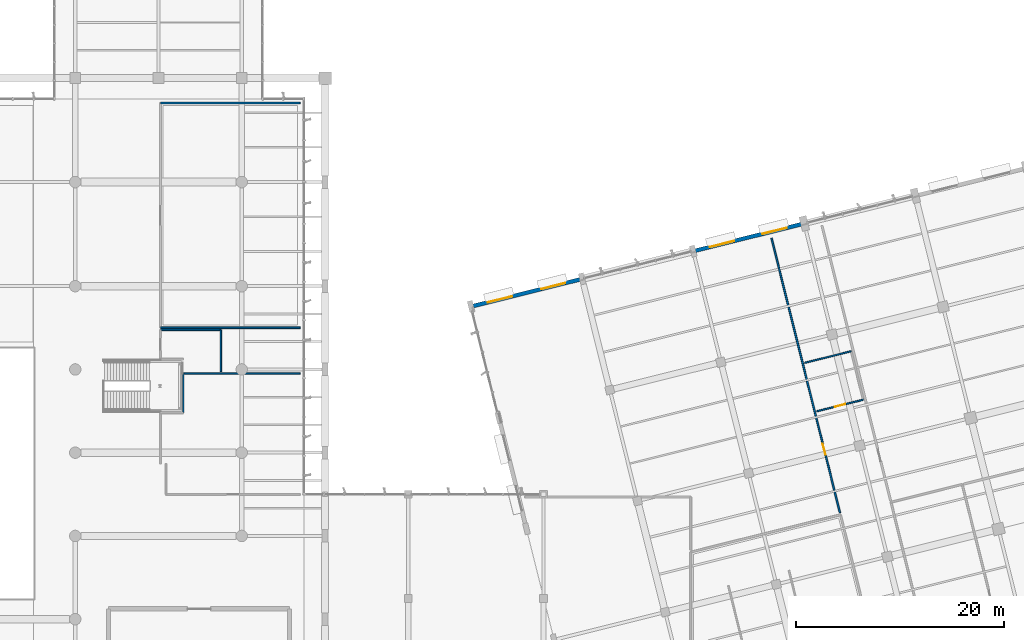
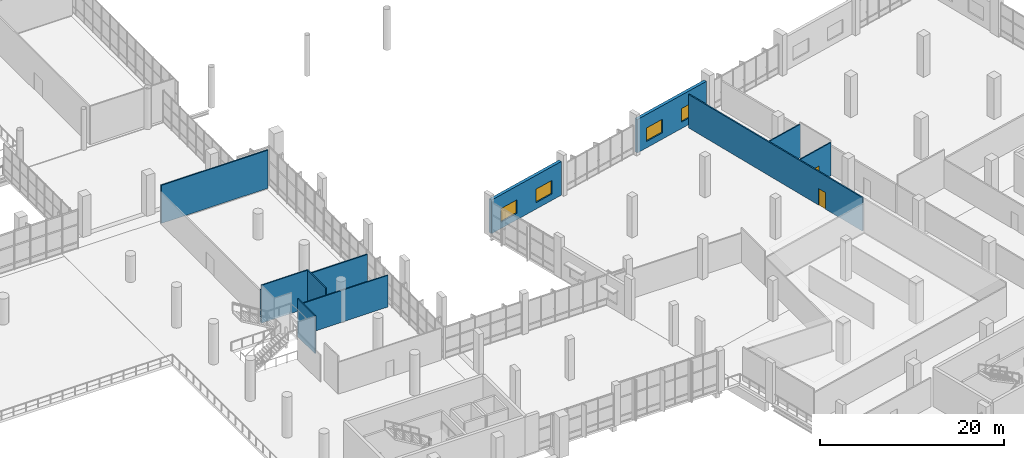
# One storey, part 146 of 176: 11 walls, 4 windows, 2 doors, 6 openings.
"""IFC4 building model written with IfcOpenShell, lengths in metres."""

from ifc_helpers import new_model, si_unit, direction, frame, frame_2d, origin, place, context, subcontext, project, spatial, rectangle, extrude, material, layer, layer_set, type_object, element, fill, save


model = new_model("IFC4")

# Units and contexts
model_context = context("Model", 3, precision=1e-05, world=origin(), true_north=direction((0.0, 1.0)))
body_context = subcontext(model_context, "Body", "Model", "MODEL_VIEW")
ifc_project = project(units=[si_unit("LENGTHUNIT", "METRE"), si_unit("AREAUNIT", "SQUARE_METRE"), si_unit("VOLUMEUNIT", "CUBIC_METRE"), si_unit("PLANEANGLEUNIT", "RADIAN"), si_unit("MASSUNIT", "GRAM", prefix="KILO")], contexts=[model_context])

# Site, building, storey
site_placement = place(None, origin())
site = spatial("IfcSite", under=ifc_project, at=site_placement, CompositionType="ELEMENT")
building_placement = place(site_placement, origin())
building = spatial("IfcBuilding", under=site, at=building_placement, Name="Khorjan Park Terminus", CompositionType="ELEMENT")
storey_placement = place(building_placement, frame((0.0, 0.0, 6.0)))
storey = spatial("IfcBuildingStorey", under=building, at=storey_placement, Name="L01", CompositionType="ELEMENT", Elevation=6.0)

# Wall, openings, windows
ifc_material_1 = material(Name="Pigmented Precast GRC & Concrete C40/50", Category="concrete")
ifc_layer_1 = layer(ifc_material_1, 0.38)
ifc_layer_set_1 = layer_set([ifc_layer_1], Name="Pigmented Precast GRC & Concrete C40/50")
wall_type_1 = type_object("IfcWallType", Name="EW-38", PredefinedType="STANDARD", material=ifc_layer_set_1)
wall_1_placement = place(storey_placement, frame((181.7474, 73.9467, 0.0), z_axis=(0.0, 0.0, 1.0), x_axis=(-0.970297370005, -0.241915302865, 0.0)))
wall_1 = element("IfcWall", 1, at=wall_1_placement, inside=storey, type_object=wall_type_1, Name="External pigmented-GRC insulated wall EW-38 (EW-V5-N-L01-B04)", PredefinedType="STANDARD", context=body_context, shape_type="SweptSolid", body=[
    extrude(rectangle(XDim=10.4698, YDim=0.38, at=frame_2d((5.2349, 0.0))), origin(), (0.0, 0.0, 1.0), 4.435),
])
opening_1_placement = place(wall_1_placement, frame((1.4174, 0.0, 0.85)))
opening_1 = element("IfcOpeningElement", 2, at=opening_1_placement, cuts=wall_1, Name="Opening WN-24", PredefinedType="OPENING", context=body_context, shape_type="SweptSolid", body=[
    extrude(rectangle(XDim=2.4, YDim=1.8, at=frame_2d((1.2, 0.9))), frame((0.0, 0.2, 0.0), z_axis=(0.0, -1.0, 0.0), x_axis=(1.0, 0.0, 0.0)), (0.0, 0.0, 1.0), 0.4),
])
opening_2_placement = place(wall_1_placement, frame((6.6523, 0.0, 0.85)))
opening_2 = element("IfcOpeningElement", 3, at=opening_2_placement, cuts=wall_1, Name="Opening WN-24", PredefinedType="OPENING", context=body_context, shape_type="SweptSolid", body=[
    extrude(rectangle(XDim=2.4, YDim=1.8, at=frame_2d((1.2, 0.9))), frame((0.0, 0.2, 0.0), z_axis=(0.0, -1.0, 0.0), x_axis=(1.0, 0.0, 0.0)), (0.0, 0.0, 1.0), 0.4),
])
ifc_material_2 = material(Name="Anodized Bronze Aluminium & Low-E Glass", Category="aluminium")
window_type = type_object("IfcWindowType", Name="WN-24", PartitioningType="SINGLE_PANEL", PredefinedType="WINDOW", material=ifc_material_2)
window_1_placement = place(opening_1_placement, origin())
window_1 = element("IfcWindow", 4, at=window_1_placement, inside=storey, type_object=window_type, Name="Solar-control exterior window WN-24 (WN-EW-V5-N-L01-B04-1)", OverallHeight=1.8, OverallWidth=2.4, PartitioningType="SINGLE_PANEL", PredefinedType="WINDOW", context=body_context, shape_type="SweptSolid", body=[
    extrude(rectangle(XDim=2.4, YDim=1.8, at=frame_2d((1.2, 0.9))), frame((0.0, 0.03, 0.0), z_axis=(0.0, -1.0, 0.0), x_axis=(1.0, 0.0, 0.0)), (0.0, 0.0, 1.0), 0.06),
])
fill(opening_1, window_1)
window_2_placement = place(opening_2_placement, origin())
window_2 = element("IfcWindow", 5, at=window_2_placement, inside=storey, type_object=window_type, Name="Solar-control exterior window WN-24 (WN-EW-V5-N-L01-B04-2)", OverallHeight=1.8, OverallWidth=2.4, PartitioningType="SINGLE_PANEL", PredefinedType="WINDOW", context=body_context, shape_type="SweptSolid", body=[
    extrude(rectangle(XDim=2.4, YDim=1.8, at=frame_2d((1.2, 0.9))), frame((0.0, 0.03, 0.0), z_axis=(0.0, -1.0, 0.0), x_axis=(1.0, 0.0, 0.0)), (0.0, 0.0, 1.0), 0.06),
])
fill(opening_2, window_2)

wall_2_placement = place(storey_placement, frame((160.4975, 68.6486, 0.0), z_axis=(0.0, 0.0, 1.0), x_axis=(-0.970294796446, -0.241925624914, 0.0)))
wall_2 = element("IfcWall", 6, at=wall_2_placement, inside=storey, type_object=wall_type_1, Name="External pigmented-GRC insulated wall EW-38 (EW-V5-N-L01-B06)", PredefinedType="STANDARD", context=body_context, shape_type="SweptSolid", body=[
    extrude(rectangle(XDim=10.5698, YDim=0.38, at=frame_2d((5.2849, 0.0))), origin(), (0.0, 0.0, 1.0), 4.465),
])
opening_3_placement = place(wall_2_placement, frame((1.4424, 0.0, 0.85)))
opening_3 = element("IfcOpeningElement", 7, at=opening_3_placement, cuts=wall_2, Name="Opening WN-24", PredefinedType="OPENING", context=body_context, shape_type="SweptSolid", body=[
    extrude(rectangle(XDim=2.4, YDim=1.8, at=frame_2d((1.2, 0.9))), frame((0.0, 0.2, 0.0), z_axis=(0.0, -1.0, 0.0), x_axis=(1.0, 0.0, 0.0)), (0.0, 0.0, 1.0), 0.4),
])
opening_4_placement = place(wall_2_placement, frame((6.7273, 0.0, 0.85)))
opening_4 = element("IfcOpeningElement", 8, at=opening_4_placement, cuts=wall_2, Name="Opening WN-24", PredefinedType="OPENING", context=body_context, shape_type="SweptSolid", body=[
    extrude(rectangle(XDim=2.4, YDim=1.8, at=frame_2d((1.2, 0.9))), frame((0.0, 0.2, 0.0), z_axis=(0.0, -1.0, 0.0), x_axis=(1.0, 0.0, 0.0)), (0.0, 0.0, 1.0), 0.4),
])
window_3_placement = place(opening_3_placement, origin())
window_3 = element("IfcWindow", 9, at=window_3_placement, inside=storey, type_object=window_type, Name="Solar-control exterior window WN-24 (WN-EW-V5-N-L01-B06-1)", OverallHeight=1.8, OverallWidth=2.4, PartitioningType="SINGLE_PANEL", PredefinedType="WINDOW", context=body_context, shape_type="SweptSolid", body=[
    extrude(rectangle(XDim=2.4, YDim=1.8, at=frame_2d((1.2, 0.9))), frame((0.0, 0.03, 0.0), z_axis=(0.0, -1.0, 0.0), x_axis=(1.0, 0.0, 0.0)), (0.0, 0.0, 1.0), 0.06),
])
fill(opening_3, window_3)
window_4_placement = place(opening_4_placement, origin())
window_4 = element("IfcWindow", 10, at=window_4_placement, inside=storey, type_object=window_type, Name="Solar-control exterior window WN-24 (WN-EW-V5-N-L01-B06-2)", OverallHeight=1.8, OverallWidth=2.4, PartitioningType="SINGLE_PANEL", PredefinedType="WINDOW", context=body_context, shape_type="SweptSolid", body=[
    extrude(rectangle(XDim=2.4, YDim=1.8, at=frame_2d((1.2, 0.9))), frame((0.0, 0.03, 0.0), z_axis=(0.0, -1.0, 0.0), x_axis=(1.0, 0.0, 0.0)), (0.0, 0.0, 1.0), 0.06),
])
fill(opening_4, window_4)

# Walls
ifc_material_3 = material(Name="Moisture-Resistant Sanitary Partition")
ifc_layer_2 = layer(ifc_material_3, 0.14)
ifc_layer_set_2 = layer_set([ifc_layer_2], Name="Moisture-Resistant Sanitary Partition")
wall_type_2 = type_object("IfcWallType", Name="PT-14", PredefinedType="PARTITIONING", material=ifc_layer_set_2)
wall_3_placement = place(storey_placement, frame((122.38, 55.82, 0.0), z_axis=(0.0, 0.0, 1.0), x_axis=(0.0, 1.0, 0.0)))
element("IfcWall", 11, at=wall_3_placement, inside=storey, type_object=wall_type_2, Name="Interior acoustic partition PT-14 (L01-WC1)", PredefinedType="PARTITIONING", context=body_context, shape_type="SweptSolid", body=[
    extrude(rectangle(XDim=3.78, YDim=0.14, at=frame_2d((1.89, 0.0))), origin(), (0.0, 0.0, 1.0), 5.02),
])
wall_4_placement = place(storey_placement, frame((122.38, 59.6, 0.0), z_axis=(0.0, 0.0, 1.0), x_axis=(1.0, 0.0, 0.0)))
element("IfcWall", 12, at=wall_4_placement, inside=storey, type_object=wall_type_2, Name="Interior acoustic partition PT-14 (L01-WC1)", PredefinedType="PARTITIONING", context=body_context, shape_type="SweptSolid", body=[
    extrude(rectangle(XDim=11.22, YDim=0.14, at=frame_2d((5.61, 0.0))), origin(), (0.0, 0.0, 1.0), 4.215),
])
wall_5_placement = place(storey_placement, frame((120.2, 63.8, 0.0), z_axis=(0.0, 0.0, 1.0), x_axis=(1.0, 0.0, 0.0)))
element("IfcWall", 13, at=wall_5_placement, inside=storey, type_object=wall_type_2, Name="Interior acoustic partition PT-14 (L01-AWC1)", PredefinedType="PARTITIONING", context=body_context, shape_type="SweptSolid", body=[
    extrude(rectangle(XDim=5.8, YDim=0.14, at=frame_2d((2.9, 0.0))), origin(), (0.0, 0.0, 1.0), 5.02),
])
wall_6_placement = place(storey_placement, frame((126.0, 63.8, 0.0), z_axis=(0.0, 0.0, 1.0), x_axis=(0.0, -1.0, 0.0)))
element("IfcWall", 14, at=wall_6_placement, inside=storey, type_object=wall_type_2, Name="Interior acoustic partition PT-14 (L01-AWC1)", PredefinedType="PARTITIONING", context=body_context, shape_type="SweptSolid", body=[
    extrude(rectangle(XDim=4.0, YDim=0.14, at=frame_2d((2.0, 0.0))), origin(), (0.0, 0.0, 1.0), 5.02),
])

# Wall, opening, door
wall_7_placement = place(storey_placement, frame((187.7175, 57.0904, 0.0), z_axis=(0.0, 0.0, 1.0), x_axis=(-0.970291933356, -0.241937107663, 0.0)))
wall_7 = element("IfcWall", 15, at=wall_7_placement, inside=storey, type_object=wall_type_2, Name="Interior acoustic partition PT-14 (L01-AWC)", PredefinedType="PARTITIONING", context=body_context, shape_type="SweptSolid", body=[
    extrude(rectangle(XDim=4.6, YDim=0.14, at=frame_2d((2.3, 0.0))), origin(), (0.0, 0.0, 1.0), 4.395),
])
opening_5_placement = place(wall_7_placement, frame((1.8, 0.0, 0.0)))
opening_5 = element("IfcOpeningElement", 16, at=opening_5_placement, cuts=wall_7, Name="Opening ID-10", PredefinedType="OPENING", context=body_context, shape_type="SweptSolid", body=[
    extrude(rectangle(XDim=1.0, YDim=2.15, at=frame_2d((0.5, 1.075))), frame((0.0, 0.08, 0.0), z_axis=(0.0, -1.0, 0.0), x_axis=(1.0, 0.0, 0.0)), (0.0, 0.0, 1.0), 0.16),
])
ifc_material_4 = material(Name="Acoustic Fire-Rated Single Door")
door_type_1 = type_object("IfcDoorType", Name="ID-10", OperationType="NOTDEFINED", PredefinedType="DOOR", material=ifc_material_4)
door_1_placement = place(opening_5_placement, origin())
door_1 = element("IfcDoor", 17, at=door_1_placement, inside=storey, type_object=door_type_1, Name="Interior door ID-10 (L01-AWC)", OperationType="SINGLE_SWING_LEFT", OverallHeight=2.15, OverallWidth=1.0, PredefinedType="DOOR", context=body_context, shape_type="SweptSolid", body=[
    extrude(rectangle(XDim=1.0, YDim=2.15, at=frame_2d((0.5, 1.075))), frame((0.0, 0.025, 0.0), z_axis=(0.0, -1.0, 0.0), x_axis=(1.0, 0.0, 0.0)), (0.0, 0.0, 1.0), 0.05),
])
fill(opening_5, door_1)

# Walls
wall_8_placement = place(storey_placement, frame((182.093, 60.6349, 0.0), z_axis=(0.0, 0.0, 1.0), x_axis=(0.970291933356, 0.241937107663, 0.0)))
element("IfcWall", 18, at=wall_8_placement, inside=storey, type_object=wall_type_2, Name="Interior acoustic partition PT-14 (L01-AWC)", PredefinedType="PARTITIONING", context=body_context, shape_type="SweptSolid", body=[
    extrude(rectangle(XDim=4.6, YDim=0.14, at=frame_2d((2.3, 0.0))), origin(), (0.0, 0.0, 1.0), 4.395),
])
ifc_material_5 = material(Name="Insulated Metal-Stud Acoustic Partition")
ifc_layer_3 = layer(ifc_material_5, 0.16)
ifc_layer_set_3 = layer_set([ifc_layer_3], Name="Insulated Metal-Stud Acoustic Partition")
wall_type_3 = type_object("IfcWallType", Name="PT-16", PredefinedType="PARTITIONING", material=ifc_layer_set_3)
wall_9_placement = place(storey_placement, frame((120.2, 85.6, 0.0), z_axis=(0.0, 0.0, 1.0), x_axis=(1.0, 0.0, 0.0)))
element("IfcWall", 19, at=wall_9_placement, inside=storey, type_object=wall_type_3, Name="Interior acoustic partition PT-16 (L01-BSL)", PredefinedType="PARTITIONING", context=body_context, shape_type="SweptSolid", body=[
    extrude(rectangle(XDim=13.4, YDim=0.16, at=frame_2d((6.7, 0.0))), origin(), (0.0, 0.0, 1.0), 5.05),
])
wall_10_placement = place(storey_placement, frame((133.6, 64.0, 0.0), z_axis=(0.0, 0.0, 1.0), x_axis=(-1.0, 0.0, 0.0)))
element("IfcWall", 20, at=wall_10_placement, inside=storey, type_object=wall_type_3, Name="Interior acoustic partition PT-16 (L01-BSL)", PredefinedType="PARTITIONING", context=body_context, shape_type="SweptSolid", body=[
    extrude(rectangle(XDim=13.4, YDim=0.16, at=frame_2d((6.7, 0.0))), origin(), (0.0, 0.0, 1.0), 4.315),
])

# Wall, opening, door
wall_11_placement = place(storey_placement, frame((178.8991, 72.6182, 0.0), z_axis=(0.0, 0.0, 1.0), x_axis=(0.241919657827, -0.970296284213, 0.0)))
wall_11 = element("IfcWall", 21, at=wall_11_placement, inside=storey, type_object=wall_type_3, Name="Interior acoustic partition PT-16 (L01-ADM)", PredefinedType="PARTITIONING", context=body_context, shape_type="SweptSolid", body=[
    extrude(rectangle(XDim=27.1999, YDim=0.16, at=frame_2d((13.5999, 0.0))), origin(), (0.0, 0.0, 1.0), 4.435),
])
opening_6_placement = place(wall_11_placement, frame((20.358, 0.0, 0.0)))
opening_6 = element("IfcOpeningElement", 22, at=opening_6_placement, cuts=wall_11, Name="Opening ID-11", PredefinedType="OPENING", context=body_context, shape_type="SweptSolid", body=[
    extrude(rectangle(XDim=1.1, YDim=2.2, at=frame_2d((0.55, 1.1))), frame((0.0, 0.09, 0.0), z_axis=(0.0, -1.0, 0.0), x_axis=(1.0, 0.0, 0.0)), (0.0, 0.0, 1.0), 0.18),
])
ifc_material_6 = material(Name="Acoustic Hardwood Single Door", Category="wood")
door_type_2 = type_object("IfcDoorType", Name="ID-11", OperationType="NOTDEFINED", PredefinedType="DOOR", material=ifc_material_6)
door_2_placement = place(opening_6_placement, origin())
door_2 = element("IfcDoor", 23, at=door_2_placement, inside=storey, type_object=door_type_2, Name="Interior door ID-11 (L01-ADM)", OperationType="SINGLE_SWING_RIGHT", OverallHeight=2.2, OverallWidth=1.1, PredefinedType="DOOR", context=body_context, shape_type="SweptSolid", body=[
    extrude(rectangle(XDim=1.1, YDim=2.2, at=frame_2d((0.55, 1.1))), frame((0.0, 0.025, 0.0), z_axis=(0.0, -1.0, 0.0), x_axis=(1.0, 0.0, 0.0)), (0.0, 0.0, 1.0), 0.05),
])
fill(opening_6, door_2)

save(model, "model.ifc")
